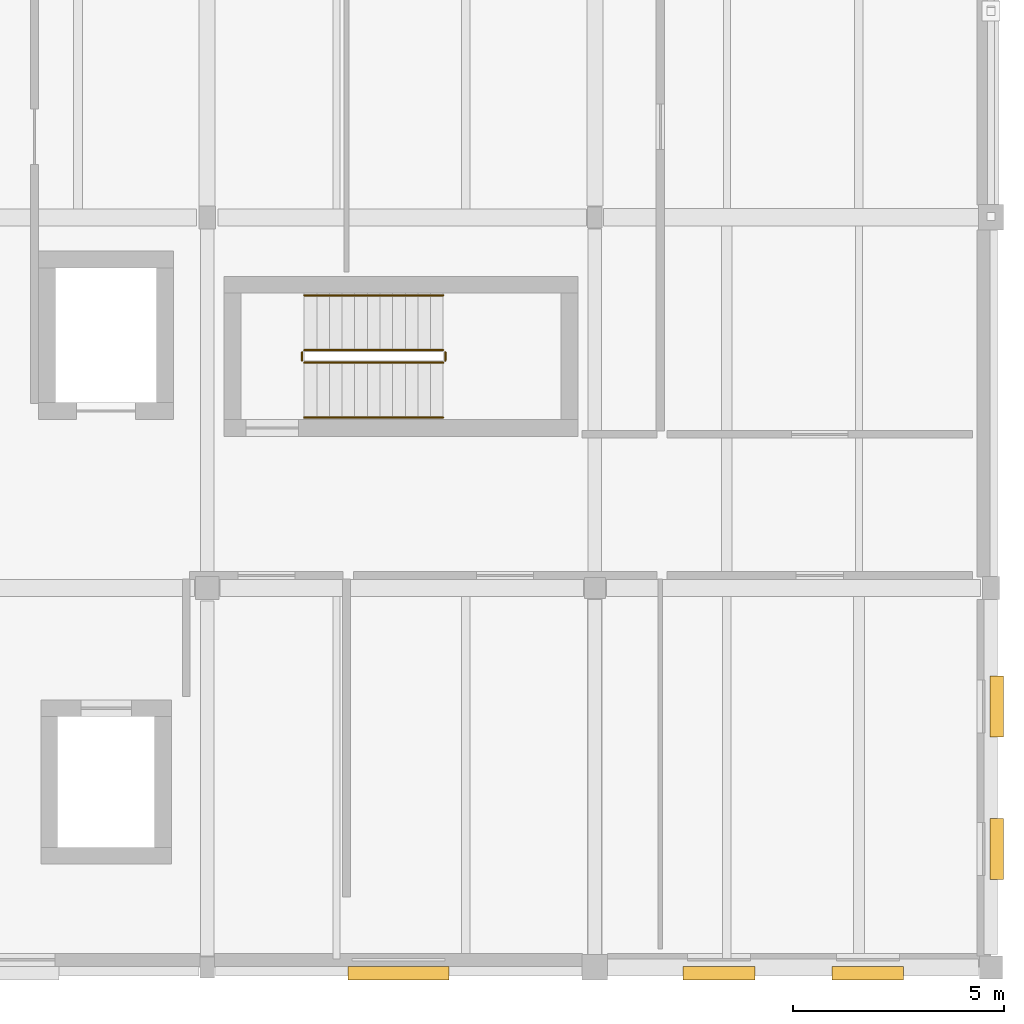
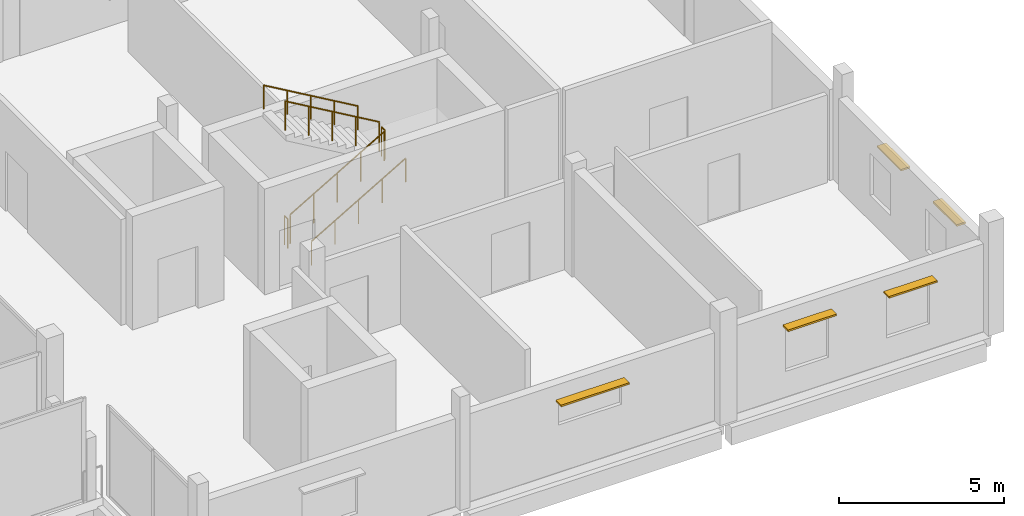
# One storey, part 40 of 41: 6 railings, 5 shading devices.
"""IFC4 building model written with IfcOpenShell, lengths in metres."""

from ifc_helpers import new_model, si_unit, direction, frame, origin, origin_2d, place, context, subcontext, project, spatial, rectangle, circle, extrude, material, type_object, element, save


model = new_model("IFC4")

# Units and contexts
model_context = context("Model", 3, precision=1e-05, world=origin(), true_north=direction((0.0, 1.0)))
body_context = subcontext(model_context, "Body", "Model", "MODEL_VIEW")
ifc_project = project(units=[si_unit("LENGTHUNIT", "METRE"), si_unit("AREAUNIT", "SQUARE_METRE"), si_unit("VOLUMEUNIT", "CUBIC_METRE"), si_unit("PLANEANGLEUNIT", "RADIAN"), si_unit("MASSUNIT", "GRAM", prefix="KILO")], contexts=[model_context])

# Site, building, storey
site_placement = place(None, origin())
site = spatial("IfcSite", under=ifc_project, at=site_placement, CompositionType="ELEMENT")
building_placement = place(site_placement, origin())
building = spatial("IfcBuilding", under=site, at=building_placement, Name="Birchvale Park Specialist Clinic", CompositionType="ELEMENT")
storey_placement = place(building_placement, frame((0.0, 0.0, 9.60009765625)))
storey = spatial("IfcBuildingStorey", under=building, at=storey_placement, Name="L02", CompositionType="ELEMENT", Elevation=9.60009765625)

# Railings
ifc_material_1 = material(Name="Brushed stainless steel guard railing", Category="steel")
railing_type_1 = type_object("IfcRailingType", Name="RL-GRD1", PredefinedType="GUARDRAIL", material=ifc_material_1)
railing_1_placement = place(storey_placement, frame((139.5, 31.14990234375, 0.1748046875)))
element("IfcRailing", 1, at=railing_1_placement, inside=storey, type_object=railing_type_1, Name="L02 ST6 stair guard 1", PredefinedType="GUARDRAIL", context=body_context, shape_type="SweptSolid", body=[
    extrude(circle(Radius=0.02392578125, at=origin_2d()), frame((0.0, 0.0, 1.076171875), z_axis=(0.863776583165, 0.0, 0.503874998761), x_axis=(0.0, 1.0, 0.0)), (0.0, 0.0, 1.0), 3.820556640625),
    extrude(circle(Radius=0.02099609375, at=origin_2d()), origin(), (0.0, 0.0, 1.0), 1.052001953125),
    extrude(circle(Radius=0.02099609375, at=origin_2d()), frame((0.824951171875, 0.0, 0.481201171875)), (0.0, 0.0, 1.0), 1.052001953125),
    extrude(circle(Radius=0.02099609375, at=origin_2d()), frame((1.64990234375, 0.0, 0.96240234375)), (0.0, 0.0, 1.0), 1.052001953125),
    extrude(circle(Radius=0.02099609375, at=origin_2d()), frame((2.47509765625, 0.0, 1.44384765625)), (0.0, 0.0, 1.0), 1.052001953125),
    extrude(circle(Radius=0.02099609375, at=origin_2d()), frame((3.300048828125, 0.0, 1.925048828125)), (0.0, 0.0, 1.0), 1.052001953125),
])
railing_2_placement = place(storey_placement, frame((142.85009765625, 31.199951171875, 2.099853515625)))
element("IfcRailing", 2, at=railing_2_placement, inside=storey, type_object=railing_type_1, Name="L02 ST6 stair guard 2", PredefinedType="GUARDRAIL", context=body_context, shape_type="SweptSolid", body=[
    extrude(circle(Radius=0.02392578125, at=origin_2d()), frame((0.0, 0.0, 1.076171875), z_axis=(0.0, 1.0, 0.0), x_axis=(-1.0, 0.0, 0.0)), (0.0, 0.0, 1.0), 0.199951171875),
    extrude(circle(Radius=0.02099609375, at=origin_2d()), origin(), (0.0, 0.0, 1.0), 1.052001953125),
    extrude(circle(Radius=0.02099609375, at=origin_2d()), frame((0.0, 0.199951171875, 0.0)), (0.0, 0.0, 1.0), 1.052001953125),
])
railing_3_placement = place(storey_placement, frame((142.800048828125, 31.449951171875, 2.27490234375)))
element("IfcRailing", 3, at=railing_3_placement, inside=storey, type_object=railing_type_1, Name="L02 ST6 stair guard 3", PredefinedType="GUARDRAIL", context=body_context, shape_type="SweptSolid", body=[
    extrude(circle(Radius=0.02392578125, at=origin_2d()), frame((0.0, 0.0, 1.076171875), z_axis=(-0.863776583165, 0.0, 0.503874998761), x_axis=(0.0, -1.0, 0.0)), (0.0, 0.0, 1.0), 3.820556640625),
    extrude(circle(Radius=0.02099609375, at=origin_2d()), origin(), (0.0, 0.0, 1.0), 1.052001953125),
    extrude(circle(Radius=0.02099609375, at=origin_2d()), frame((-0.824951171875, 0.0, 0.481201171875)), (0.0, 0.0, 1.0), 1.052001953125),
    extrude(circle(Radius=0.02099609375, at=origin_2d()), frame((-1.64990234375, 0.0, 0.96240234375)), (0.0, 0.0, 1.0), 1.052001953125),
    extrude(circle(Radius=0.02099609375, at=origin_2d()), frame((-2.47509765625, 0.0, 1.44384765625)), (0.0, 0.0, 1.0), 1.052001953125),
    extrude(circle(Radius=0.02099609375, at=origin_2d()), frame((-3.300048828125, 0.0, 1.925048828125)), (0.0, 0.0, 1.0), 1.052001953125),
])
railing_4_placement = place(storey_placement, frame((139.449951171875, 31.199951171875, 0.0)))
element("IfcRailing", 4, at=railing_4_placement, inside=storey, type_object=railing_type_1, Name="L02 ST6 stair guard 4", PredefinedType="GUARDRAIL", context=body_context, shape_type="SweptSolid", body=[
    extrude(circle(Radius=0.02392578125, at=origin_2d()), frame((0.0, 0.0, 1.076171875), z_axis=(0.0, 1.0, 0.0), x_axis=(-1.0, 0.0, 0.0)), (0.0, 0.0, 1.0), 0.199951171875),
    extrude(circle(Radius=0.02099609375, at=origin_2d()), origin(), (0.0, 0.0, 1.0), 1.052001953125),
    extrude(circle(Radius=0.02099609375, at=origin_2d()), frame((0.0, 0.199951171875, 0.0)), (0.0, 0.0, 1.0), 1.052001953125),
])
ifc_material_2 = material(Name="Anodised aluminium handrail", Category="aluminium")
railing_type_2 = type_object("IfcRailingType", Name="RL-HND1", PredefinedType="HANDRAIL", material=ifc_material_2)
railing_5_placement = place(storey_placement, frame((139.5, 29.85009765625, 0.1748046875)))
element("IfcRailing", 5, at=railing_5_placement, inside=storey, type_object=railing_type_2, Name="L02 ST6 stair handrail 1", PredefinedType="HANDRAIL", context=body_context, shape_type="SweptSolid", body=[
    extrude(circle(Radius=0.02392578125, at=origin_2d()), frame((0.0, 0.0, 0.8759765625), z_axis=(0.863776583165, 0.0, 0.503874998761), x_axis=(0.0, 1.0, 0.0)), (0.0, 0.0, 1.0), 3.820556640625),
    extrude(circle(Radius=0.02099609375, at=origin_2d()), origin(), (0.0, 0.0, 1.0), 0.851806640625),
    extrude(circle(Radius=0.02099609375, at=origin_2d()), frame((0.824951171875, 0.0, 0.481201171875)), (0.0, 0.0, 1.0), 0.851806640625),
    extrude(circle(Radius=0.02099609375, at=origin_2d()), frame((1.64990234375, 0.0, 0.96240234375)), (0.0, 0.0, 1.0), 0.851806640625),
    extrude(circle(Radius=0.02099609375, at=origin_2d()), frame((2.47509765625, 0.0, 1.44384765625)), (0.0, 0.0, 1.0), 0.851806640625),
    extrude(circle(Radius=0.02099609375, at=origin_2d()), frame((3.300048828125, 0.0, 1.925048828125)), (0.0, 0.0, 1.0), 0.851806640625),
])
railing_6_placement = place(storey_placement, frame((142.800048828125, 32.75, 2.27490234375)))
element("IfcRailing", 6, at=railing_6_placement, inside=storey, type_object=railing_type_2, Name="L02 ST6 stair handrail 2", PredefinedType="HANDRAIL", context=body_context, shape_type="SweptSolid", body=[
    extrude(circle(Radius=0.02392578125, at=origin_2d()), frame((0.0, 0.0, 0.8759765625), z_axis=(-0.863776583165, 0.0, 0.503874998761), x_axis=(0.0, -1.0, 0.0)), (0.0, 0.0, 1.0), 3.820556640625),
    extrude(circle(Radius=0.02099609375, at=origin_2d()), origin(), (0.0, 0.0, 1.0), 0.851806640625),
    extrude(circle(Radius=0.02099609375, at=origin_2d()), frame((-0.824951171875, 0.0, 0.481201171875)), (0.0, 0.0, 1.0), 0.851806640625),
    extrude(circle(Radius=0.02099609375, at=origin_2d()), frame((-1.64990234375, 0.0, 0.96240234375)), (0.0, 0.0, 1.0), 0.851806640625),
    extrude(circle(Radius=0.02099609375, at=origin_2d()), frame((-2.47509765625, 0.0, 1.44384765625)), (0.0, 0.0, 1.0), 0.851806640625),
    extrude(circle(Radius=0.02099609375, at=origin_2d()), frame((-3.300048828125, 0.0, 1.925048828125)), (0.0, 0.0, 1.0), 0.851806640625),
])

# Shading devices
ifc_material_3 = material(Name="Nordic larch solar louvre")
shading_device_type = type_object("IfcShadingDeviceType", Name="SHD-LVR1", PredefinedType="JALOUSIE", material=ifc_material_3)
shading_device_placement = place(storey_placement, frame((141.737548828125, 16.659912109375, 2.6474609375), z_axis=(0.0, 0.0, 1.0), x_axis=(1.0, 0.0, 0.0)))
element("IfcShadingDevice", 7, at=shading_device_placement, inside=storey, type_object=shading_device_type, Name="V5 L02 timber sun louvre 35", PredefinedType="JALOUSIE", context=body_context, shape_type="SweptSolid", body=[
    extrude(rectangle(XDim=2.39990234375, YDim=0.320068359375, at=origin_2d()), origin(), (0.0, 0.0, 1.0), 0.06494140625),
])
for number, where, z_axis, x_axis, name in (
    (8, (149.345458984375, 16.659912109375, 2.6474609375), (0.0, 0.0, 1.0), (1.0, 0.0, 0.0), "V5 L02 timber sun louvre 36"),
    (9, (152.87939453125, 16.659912109375, 2.6474609375), (0.0, 0.0, 1.0), (1.0, 0.0, 0.0), "V5 L02 timber sun louvre 37"),
):
    element("IfcShadingDevice", number, at=place(storey_placement, frame(where, z_axis=z_axis, x_axis=x_axis)), inside=storey, type_object=shading_device_type, Name=name, PredefinedType="JALOUSIE", context=body_context, shape_type="SweptSolid", body=[
        extrude(rectangle(XDim=1.699951171875, YDim=0.320068359375, at=origin_2d()), origin(), (0.0, 0.0, 1.0), 0.06494140625),
    ])
for number, where, z_axis, x_axis, name in (
    (10, (155.93994140625, 19.60791015625, 2.54736328125), (0.0, 0.0, 1.0), (0.0, 1.0, 0.0), "V5 L02 timber sun louvre 38"),
    (11, (155.93994140625, 22.991943359375, 2.54736328125), (0.0, 0.0, 1.0), (0.0, 1.0, 0.0), "V5 L02 timber sun louvre 39"),
):
    element("IfcShadingDevice", number, at=place(storey_placement, frame(where, z_axis=z_axis, x_axis=x_axis)), inside=storey, type_object=shading_device_type, Name=name, PredefinedType="JALOUSIE", context=body_context, shape_type="SweptSolid", body=[
        extrude(rectangle(XDim=1.449951171875, YDim=0.320068359375, at=origin_2d()), origin(), (0.0, 0.0, 1.0), 0.06494140625),
    ])

save(model, "model.ifc")
